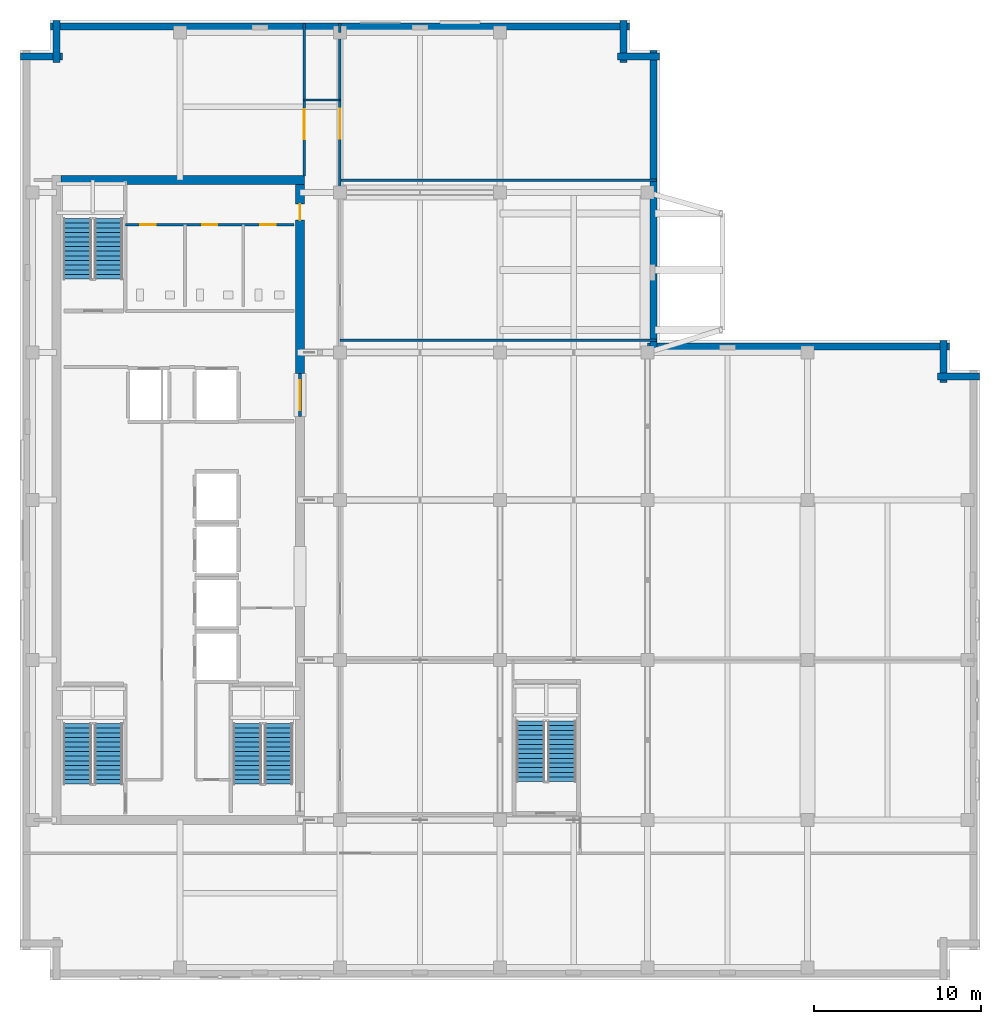
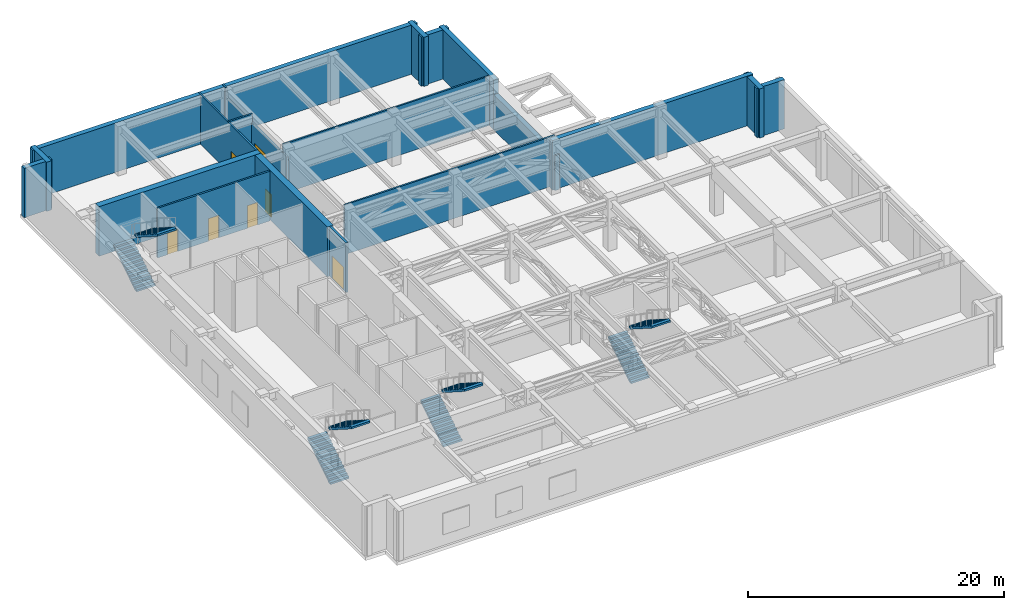
# One storey, part 14 of 19: 20 walls, 8 stair flights, 7 doors, 7 openings, 4 elements without a shape of their own.
"""IFC4 building model written with IfcOpenShell, lengths in metres."""

from ifc_helpers import new_model, si_unit, direction, frame, frame_2d, origin, place, context, subcontext, project, spatial, polyline, rectangle, outline, extrude, material, layer, layer_set, type_object, element, fill, aggregate, save


model = new_model("IFC4")

# Units and contexts
model_context = context("Model", 3, precision=1e-05, world=origin(), true_north=direction((0.0, 1.0)))
body_context = subcontext(model_context, "Body", "Model", "MODEL_VIEW")
ifc_project = project(units=[si_unit("LENGTHUNIT", "METRE"), si_unit("AREAUNIT", "SQUARE_METRE"), si_unit("VOLUMEUNIT", "CUBIC_METRE"), si_unit("PLANEANGLEUNIT", "RADIAN"), si_unit("MASSUNIT", "GRAM", prefix="KILO")], contexts=[model_context])

# Site, building, storey
site_placement = place(None, origin())
site = spatial("IfcSite", under=ifc_project, at=site_placement, CompositionType="ELEMENT")
building_placement = place(site_placement, origin())
building = spatial("IfcBuilding", under=site, at=building_placement, Name="Norrvale University Quadrangle", CompositionType="ELEMENT")
storey_placement = place(building_placement, frame((0.0, 0.0, 256.0)))
storey = spatial("IfcBuildingStorey", under=building, at=storey_placement, Name="L65", CompositionType="ELEMENT", Elevation=256.0)

# Walls
ifc_material_1 = material(Name="Buff Norman Clay Brick Masonry", Category="masonry")
ifc_layer_1 = layer(ifc_material_1, 0.419921875, Name="Buff Norman Clay Brick Masonry")
ifc_layer_set_1 = layer_set([ifc_layer_1], Name="Buff Norman Clay Brick Masonry")
wall_type_1 = type_object("IfcWallType", Name="Wall Buff Brick 420", PredefinedType="SOLIDWALL", material=ifc_layer_set_1)
for number, where, z_axis, x_axis, name in (
    (1, (57.56005859375, 36.2099609375, 0.0), (0.0, 0.0, 1.0), (-1.0, 0.0, 0.0), "Exterior Brick Facade Wall L65-05.1"),
    (2, (55.409912109375, 35.860107421875, 0.0), (0.0, 0.0, 1.0), (0.0, 1.0, 0.0), "Exterior Brick Facade Wall L65-06.1"),
):
    element("IfcWall", number, at=place(storey_placement, frame(where, z_axis=z_axis, x_axis=x_axis)), inside=storey, type_object=wall_type_1, Name=name, PredefinedType="SOLIDWALL", context=body_context, shape_type="SweptSolid", body=[
        extrude(rectangle(XDim=2.5, YDim=0.419921875, at=frame_2d((1.25, 0.0))), origin(), (0.0, 0.0, 1.0), 4.699951171875),
    ])
wall_1_placement = place(storey_placement, frame((55.760009765625, 38.010009765625, 0.0), z_axis=(0.0, 0.0, 1.0), x_axis=(-1.0, 0.0, 0.0)))
element("IfcWall", 3, at=wall_1_placement, inside=storey, type_object=wall_type_1, Name="Exterior Brick Facade Wall L65-07.1", PredefinedType="SOLIDWALL", context=body_context, shape_type="SweptSolid", body=[
    extrude(rectangle(XDim=18.10009765625, YDim=0.419921875, at=frame_2d((9.050048828125, 0.0))), origin(), (0.0, 0.0, 1.0), 4.739990234375),
])
wall_2_placement = place(storey_placement, frame((38.010009765625, 37.659912109375, 0.0), z_axis=(0.0, 0.0, 1.0), x_axis=(0.0, 1.0, 0.0)))
element("IfcWall", 4, at=wall_2_placement, inside=storey, type_object=wall_type_1, Name="Exterior Brick Facade Wall L65-08.1", PredefinedType="SOLIDWALL", context=body_context, shape_type="SweptSolid", body=[
    extrude(rectangle(XDim=9.590087890625, YDim=0.419921875, at=frame_2d((4.794921875, 0.0))), origin(), (0.0, 0.0, 1.0), 3.340087890625),
])
for number, where, z_axis, x_axis, name in (
    (5, (38.360107421875, 55.409912109375, 0.0), (0.0, 0.0, 1.0), (-1.0, 0.0, 0.0), "Exterior Brick Facade Wall L65-09.1"),
    (6, (36.2099609375, 55.06005859375, 0.0), (0.0, 0.0, 1.0), (0.0, 1.0, 0.0), "Exterior Brick Facade Wall L65-10.1"),
):
    element("IfcWall", number, at=place(storey_placement, frame(where, z_axis=z_axis, x_axis=x_axis)), inside=storey, type_object=wall_type_1, Name=name, PredefinedType="SOLIDWALL", context=body_context, shape_type="SweptSolid", body=[
        extrude(rectangle(XDim=2.5, YDim=0.419921875, at=frame_2d((1.25, 0.0))), origin(), (0.0, 0.0, 1.0), 4.699951171875),
    ])
wall_3_placement = place(storey_placement, frame((36.56005859375, 57.2099609375, 0.0), z_axis=(0.0, 0.0, 1.0), x_axis=(-1.0, 0.0, 0.0)))
element("IfcWall", 7, at=wall_3_placement, inside=storey, type_object=wall_type_1, Name="Exterior Brick Facade Wall L65-11.1", PredefinedType="SOLIDWALL", context=body_context, shape_type="SweptSolid", body=[
    extrude(rectangle(XDim=34.719970703125, YDim=0.419921875, at=frame_2d((17.35986328125, 0.0))), origin(), (0.0, 0.0, 1.0), 4.699951171875),
])
for number, where, z_axis, x_axis, name in (
    (8, (2.18994140625, 57.56005859375, 0.0), (0.0, 0.0, 1.0), (0.0, -1.0, 0.0), "Exterior Brick Facade Wall L65-12.1"),
    (9, (2.5400390625, 55.409912109375, 0.0), (0.0, 0.0, 1.0), (-1.0, 0.0, 0.0), "Exterior Brick Facade Wall L65-13.1"),
):
    element("IfcWall", number, at=place(storey_placement, frame(where, z_axis=z_axis, x_axis=x_axis)), inside=storey, type_object=wall_type_1, Name=name, PredefinedType="SOLIDWALL", context=body_context, shape_type="SweptSolid", body=[
        extrude(rectangle(XDim=2.5, YDim=0.419921875, at=frame_2d((1.25, 0.0))), origin(), (0.0, 0.0, 1.0), 4.699951171875),
    ])
wall_4_placement = place(storey_placement, frame((38.010009765625, 47.25, 0.0), z_axis=(0.0, 0.0, 1.0), x_axis=(0.0, 1.0, 0.0)))
element("IfcWall", 10, at=wall_4_placement, inside=storey, type_object=wall_type_1, Name="Exterior Brick Facade Wall L65-08.1 B2", PredefinedType="SOLIDWALL", context=body_context, shape_type="SweptSolid", body=[
    extrude(rectangle(XDim=8.510009765625, YDim=0.419921875, at=frame_2d((4.2548828125, 0.0))), origin(), (0.0, 0.0, 1.0), 4.739990234375),
])
ifc_material_2 = material(Name="Concrete C60/75", Category="concrete")
ifc_layer_2 = layer(ifc_material_2, 0.550048828125, Name="Concrete C60/75")
ifc_layer_set_2 = layer_set([ifc_layer_2], Name="Concrete C60/75")
wall_type_2 = type_object("IfcWallType", Name="Wall Core 550", PredefinedType="SHEAR", material=ifc_layer_set_2)
wall_5_placement = place(storey_placement, frame((2.47509765625, 48.0, 0.0), z_axis=(0.0, 0.0, 1.0), x_axis=(1.0, 0.0, 0.0)))
element("IfcWall", 11, at=wall_5_placement, inside=storey, type_object=wall_type_2, Name="Tower Core Shear Wall L65-N", PredefinedType="SHEAR", context=body_context, shape_type="SweptSolid", body=[
    extrude(rectangle(XDim=14.599853515625, YDim=0.550048828125, at=frame_2d((7.2998046875, 0.0))), origin(), (0.0, 0.0, 1.0), 4.739990234375),
])

# Wall, opening, door
wall_6_placement = place(storey_placement, frame((16.800048828125, 36.39990234375, 0.0), z_axis=(0.0, 0.0, 1.0), x_axis=(0.0, 1.0, 0.0)))
wall_6 = element("IfcWall", 12, at=wall_6_placement, inside=storey, type_object=wall_type_2, Name="Tower Core Shear Wall L65-E3", PredefinedType="SHEAR", context=body_context, shape_type="SweptSolid", body=[
    extrude(rectangle(XDim=11.3251953125, YDim=0.550048828125, at=frame_2d((5.66259765625, 0.0))), origin(), (0.0, 0.0, 1.0), 4.739990234375),
])
opening_1_placement = place(wall_6_placement, frame((9.199951171875, 0.0, 0.0)))
opening_1 = element("IfcOpeningElement", 13, at=opening_1_placement, cuts=wall_6, Name="Opening D07", PredefinedType="OPENING", context=body_context, shape_type="SweptSolid", body=[
    extrude(rectangle(XDim=0.949951171875, YDim=2.14990234375, at=frame_2d((0.47509765625, 1.074951171875))), frame((0.0, 0.287109375, 0.0), z_axis=(0.0, -1.0, 0.0), x_axis=(1.0, 0.0, 0.0)), (0.0, 0.0, 1.0), 0.573974609375),
])
ifc_material_3 = material(Name="Solid-Core Maple Door", Category="wood")
door_type_1 = type_object("IfcDoorType", Name="Door Office 950x2150", OperationType="NOTDEFINED", PredefinedType="DOOR", material=ifc_material_3)
door_1_placement = place(opening_1_placement, origin())
door_1 = element("IfcDoor", 14, at=door_1_placement, inside=storey, type_object=door_type_1, Name="Door Office 950x2150 DR-L65-NECORR", OperationType="SINGLE_SWING_RIGHT", OverallHeight=2.14990234375, OverallWidth=0.949951171875, PredefinedType="DOOR", context=body_context, shape_type="SweptSolid", body=[
    extrude(rectangle(XDim=0.949951171875, YDim=2.14990234375, at=frame_2d((0.47509765625, 1.074951171875))), frame((0.0, 0.02490234375, 0.0), z_axis=(0.0, -1.0, 0.0), x_axis=(1.0, 0.0, 0.0)), (0.0, 0.0, 1.0), 0.050048828125),
])
fill(opening_1, door_1)

# Walls
ifc_material_4 = material(Name="Fire-Rated Gypsum Stud Partition")
ifc_layer_3 = layer(ifc_material_4, 0.14990234375, Name="Fire-Rated Gypsum Stud Partition")
ifc_layer_set_3 = layer_set([ifc_layer_3], Name="Fire-Rated Gypsum Stud Partition")
wall_type_3 = type_object("IfcWallType", Name="Wall Gypsum Corridor 150", PredefinedType="PARTITIONING", material=ifc_layer_set_3)
wall_7_placement = place(storey_placement, frame((17.050048828125, 52.800048828125, 0.0), z_axis=(0.0, 0.0, 1.0), x_axis=(1.0, 0.0, 0.0)))
element("IfcWall", 15, at=wall_7_placement, inside=storey, type_object=wall_type_3, Name="Interior Partition WL-L65-PCN", PredefinedType="PARTITIONING", context=body_context, shape_type="SweptSolid", body=[
    extrude(rectangle(XDim=2.14990234375, YDim=0.14990234375, at=frame_2d((1.074951171875, 0.0))), origin(), (0.0, 0.0, 1.0), 4.699951171875),
])
wall_8_placement = place(storey_placement, frame((19.199951171875, 38.39990234375, 0.0), z_axis=(0.0, 0.0, 1.0), x_axis=(1.0, 0.0, 0.0)))
element("IfcWall", 16, at=wall_8_placement, inside=storey, type_object=wall_type_3, Name="Interior Partition WL-L65-RF-S", PredefinedType="PARTITIONING", context=body_context, shape_type="SweptSolid", body=[
    extrude(rectangle(XDim=18.97998046875, YDim=0.14990234375, at=frame_2d((9.489990234375, 0.0))), origin(), (0.0, 0.0, 1.0), 4.739990234375),
])
wall_9_placement = place(storey_placement, frame((19.199951171875, 48.0, 0.0), z_axis=(0.0, 0.0, 1.0), x_axis=(1.0, 0.0, 0.0)))
element("IfcWall", 17, at=wall_9_placement, inside=storey, type_object=wall_type_3, Name="Interior Partition WL-L65-RF-N", PredefinedType="PARTITIONING", context=body_context, shape_type="SweptSolid", body=[
    extrude(rectangle(XDim=18.97998046875, YDim=0.14990234375, at=frame_2d((9.489990234375, 0.0))), origin(), (0.0, 0.0, 1.0), 4.699951171875),
])

# Wall, opening, door
wall_10_placement = place(storey_placement, frame((19.199951171875, 47.25, 0.0), z_axis=(0.0, 0.0, 1.0), x_axis=(0.0, 1.0, 0.0)))
wall_10 = element("IfcWall", 18, at=wall_10_placement, inside=storey, type_object=wall_type_3, Name="Interior Partition WL-L65-PE-W-B2", PredefinedType="PARTITIONING", context=body_context, shape_type="SweptSolid", body=[
    extrude(rectangle(XDim=9.60009765625, YDim=0.14990234375, at=frame_2d((4.800048828125, 0.0))), origin(), (0.0, 0.0, 1.0), 3.927001953125),
])
opening_2_placement = place(wall_10_placement, frame((3.22998046875, 0.0, 0.0)))
opening_2 = element("IfcOpeningElement", 19, at=opening_2_placement, cuts=wall_10, Name="Opening D03", PredefinedType="OPENING", context=body_context, shape_type="SweptSolid", body=[
    extrude(rectangle(XDim=1.800048828125, YDim=2.199951171875, at=frame_2d((0.89990234375, 1.10009765625))), frame((0.0, 0.0869140625, 0.0), z_axis=(0.0, -1.0, 0.0), x_axis=(1.0, 0.0, 0.0)), (0.0, 0.0, 1.0), 0.173828125),
])
ifc_material_5 = material(Name="Hollow Steel 350W Fire Door", Category="steel")
door_type_2 = type_object("IfcDoorType", Name="Door Fire Lobby 1800x2200", OperationType="DOUBLE_DOOR_SINGLE_SWING", PredefinedType="DOOR", material=ifc_material_5)
door_2_placement = place(opening_2_placement, origin())
door_2 = element("IfcDoor", 20, at=door_2_placement, inside=storey, type_object=door_type_2, Name="Door Fire Lobby 1800x2200 DR-L65-FAN1", OperationType="DOUBLE_DOOR_SINGLE_SWING", OverallHeight=2.199951171875, OverallWidth=1.800048828125, PredefinedType="DOOR", context=body_context, shape_type="SweptSolid", body=[
    extrude(rectangle(XDim=1.800048828125, YDim=2.199951171875, at=frame_2d((0.89990234375, 1.10009765625))), frame((0.0, 0.02490234375, 0.0), z_axis=(0.0, -1.0, 0.0), x_axis=(1.0, 0.0, 0.0)), (0.0, 0.0, 1.0), 0.050048828125),
])
fill(opening_2, door_2)

# Wall
wall_11_placement = place(storey_placement, frame((19.199951171875, 56.85009765625, 0.0), z_axis=(0.0, 0.0, 1.0), x_axis=(0.0, 1.0, 0.0)))
element("IfcWall", 21, at=wall_11_placement, inside=storey, type_object=wall_type_3, Name="Interior Partition WL-L65-PE-W-B3", PredefinedType="PARTITIONING", context=body_context, shape_type="SweptSolid", body=[
    extrude(rectangle(XDim=0.52978515625, YDim=0.14990234375, at=frame_2d((0.264892578125, 0.0))), origin(), (0.0, 0.0, 1.0), 4.739990234375),
])

# Wall, opening, door
wall_12_placement = place(storey_placement, frame((17.050048828125, 48.25, 0.0), z_axis=(0.0, 0.0, 1.0), x_axis=(0.0, 1.0, 0.0)))
wall_12 = element("IfcWall", 22, at=wall_12_placement, inside=storey, type_object=wall_type_3, Name="Interior Partition WL-L65-TNK-E", PredefinedType="PARTITIONING", context=body_context, shape_type="SweptSolid", body=[
    extrude(rectangle(XDim=9.1298828125, YDim=0.14990234375, at=frame_2d((4.56494140625, 0.0))), origin(), (0.0, 0.0, 1.0), 4.699951171875),
])
opening_3_placement = place(wall_12_placement, frame((2.199951171875, 0.0, 0.0)))
opening_3 = element("IfcOpeningElement", 23, at=opening_3_placement, cuts=wall_12, Name="Opening D03", PredefinedType="OPENING", context=body_context, shape_type="SweptSolid", body=[
    extrude(rectangle(XDim=1.800048828125, YDim=2.199951171875, at=frame_2d((0.89990234375, 1.10009765625))), frame((0.0, 0.0869140625, 0.0), z_axis=(0.0, -1.0, 0.0), x_axis=(1.0, 0.0, 0.0)), (0.0, 0.0, 1.0), 0.173828125),
])
door_3_placement = place(opening_3_placement, origin())
door_3 = element("IfcDoor", 24, at=door_3_placement, inside=storey, type_object=door_type_2, Name="Door Fire Lobby 1800x2200 DR-L65-TNK1", OperationType="DOUBLE_DOOR_SINGLE_SWING", OverallHeight=2.199951171875, OverallWidth=1.800048828125, PredefinedType="DOOR", context=body_context, shape_type="SweptSolid", body=[
    extrude(rectangle(XDim=1.800048828125, YDim=2.199951171875, at=frame_2d((0.89990234375, 1.10009765625))), frame((0.0, 0.02490234375, 0.0), z_axis=(0.0, -1.0, 0.0), x_axis=(1.0, 0.0, 0.0)), (0.0, 0.0, 1.0), 0.050048828125),
])
fill(opening_3, door_3)

# Wall, openings, doors
ifc_material_6 = material(Name="Sanitary Chase Gypsum Partition")
ifc_layer_4 = layer(ifc_material_6, 0.1650390625, Name="Sanitary Chase Gypsum Partition")
ifc_layer_set_4 = layer_set([ifc_layer_4], Name="Sanitary Chase Gypsum Partition")
wall_type_4 = type_object("IfcWallType", Name="Wall Gypsum Sanitary 165", PredefinedType="PLUMBINGWALL", material=ifc_layer_set_4)
wall_13_placement = place(storey_placement, frame((6.320068359375, 45.320068359375, 0.0), z_axis=(0.0, 0.0, 1.0), x_axis=(1.0, 0.0, 0.0)))
wall_13 = element("IfcWall", 25, at=wall_13_placement, inside=storey, type_object=wall_type_4, Name="Interior Partition WL-L65-WCN", PredefinedType="PLUMBINGWALL", context=body_context, shape_type="SweptSolid", body=[
    extrude(rectangle(XDim=10.1298828125, YDim=0.1650390625, at=frame_2d((5.06494140625, 0.0))), origin(), (0.0, 0.0, 1.0), 4.739990234375),
])
opening_4_placement = place(wall_13_placement, frame((0.89990234375, 0.0, 0.0)))
opening_4 = element("IfcOpeningElement", 26, at=opening_4_placement, cuts=wall_13, Name="Opening D08", PredefinedType="OPENING", context=body_context, shape_type="SweptSolid", body=[
    extrude(rectangle(XDim=0.919921875, YDim=2.14990234375, at=frame_2d((0.4599609375, 1.074951171875))), frame((0.0, 0.094482421875, 0.0), z_axis=(0.0, -1.0, 0.0), x_axis=(1.0, 0.0, 0.0)), (0.0, 0.0, 1.0), 0.18896484375),
])
opening_5_placement = place(wall_13_placement, frame((4.60009765625, 0.0, 0.0)))
opening_5 = element("IfcOpeningElement", 27, at=opening_5_placement, cuts=wall_13, Name="Opening D08", PredefinedType="OPENING", context=body_context, shape_type="SweptSolid", body=[
    extrude(rectangle(XDim=0.919921875, YDim=2.14990234375, at=frame_2d((0.4599609375, 1.074951171875))), frame((0.0, 0.094482421875, 0.0), z_axis=(0.0, -1.0, 0.0), x_axis=(1.0, 0.0, 0.0)), (0.0, 0.0, 1.0), 0.18896484375),
])
opening_6_placement = place(wall_13_placement, frame((8.10009765625, 0.0, 0.0)))
opening_6 = element("IfcOpeningElement", 28, at=opening_6_placement, cuts=wall_13, Name="Opening D08", PredefinedType="OPENING", context=body_context, shape_type="SweptSolid", body=[
    extrude(rectangle(XDim=0.919921875, YDim=2.14990234375, at=frame_2d((0.4599609375, 1.074951171875))), frame((0.0, 0.094482421875, 0.0), z_axis=(0.0, -1.0, 0.0), x_axis=(1.0, 0.0, 0.0)), (0.0, 0.0, 1.0), 0.18896484375),
])
ifc_material_7 = material(Name="Laminate Washroom Door", Category="wood")
door_type_3 = type_object("IfcDoorType", Name="Door Washroom 920x2150", OperationType="NOTDEFINED", PredefinedType="DOOR", material=ifc_material_7)
door_4_placement = place(opening_4_placement, origin())
door_4 = element("IfcDoor", 29, at=door_4_placement, inside=storey, type_object=door_type_3, Name="Door Washroom 920x2150 DR-L65-WC1", OperationType="SINGLE_SWING_LEFT", OverallHeight=2.14990234375, OverallWidth=0.919921875, PredefinedType="DOOR", context=body_context, shape_type="SweptSolid", body=[
    extrude(rectangle(XDim=0.919921875, YDim=2.14990234375, at=frame_2d((0.4599609375, 1.074951171875))), frame((0.0, 0.02490234375, 0.0), z_axis=(0.0, -1.0, 0.0), x_axis=(1.0, 0.0, 0.0)), (0.0, 0.0, 1.0), 0.050048828125),
])
fill(opening_4, door_4)
door_5_placement = place(opening_5_placement, origin())
door_5 = element("IfcDoor", 30, at=door_5_placement, inside=storey, type_object=door_type_3, Name="Door Washroom 920x2150 DR-L65-WC2", OperationType="SINGLE_SWING_RIGHT", OverallHeight=2.14990234375, OverallWidth=0.919921875, PredefinedType="DOOR", context=body_context, shape_type="SweptSolid", body=[
    extrude(rectangle(XDim=0.919921875, YDim=2.14990234375, at=frame_2d((0.4599609375, 1.074951171875))), frame((0.0, 0.02490234375, 0.0), z_axis=(0.0, -1.0, 0.0), x_axis=(1.0, 0.0, 0.0)), (0.0, 0.0, 1.0), 0.050048828125),
])
fill(opening_5, door_5)
door_6_placement = place(opening_6_placement, origin())
door_6 = element("IfcDoor", 31, at=door_6_placement, inside=storey, type_object=door_type_3, Name="Door Washroom 920x2150 DR-L65-WC3", OperationType="SINGLE_SWING_LEFT", OverallHeight=2.14990234375, OverallWidth=0.919921875, PredefinedType="DOOR", context=body_context, shape_type="SweptSolid", body=[
    extrude(rectangle(XDim=0.919921875, YDim=2.14990234375, at=frame_2d((0.4599609375, 1.074951171875))), frame((0.0, 0.02490234375, 0.0), z_axis=(0.0, -1.0, 0.0), x_axis=(1.0, 0.0, 0.0)), (0.0, 0.0, 1.0), 0.050048828125),
])
fill(opening_6, door_6)

# Wall, opening, door
ifc_material_8 = material(Name="Concrete Blockwork 20 MPa Rated Wall", Category="masonry")
ifc_layer_5 = layer(ifc_material_8, 0.199951171875, Name="Concrete Blockwork 20 MPa Rated Wall")
ifc_layer_set_5 = layer_set([ifc_layer_5], Name="Concrete Blockwork 20 MPa Rated Wall")
wall_type_5 = type_object("IfcWallType", Name="Wall Lobby 200", PredefinedType="SOLIDWALL", material=ifc_layer_set_5)
wall_14_placement = place(storey_placement, frame((16.800048828125, 33.800048828125, 0.0), z_axis=(0.0, 0.0, 1.0), x_axis=(0.0, 1.0, 0.0)))
wall_14 = element("IfcWall", 32, at=wall_14_placement, inside=storey, type_object=wall_type_5, Name="Interior Partition WL-L65-FFP", PredefinedType="SOLIDWALL", context=body_context, shape_type="SweptSolid", body=[
    extrude(rectangle(XDim=2.599853515625, YDim=0.199951171875, at=frame_2d((1.2998046875, 0.0))), origin(), (0.0, 0.0, 1.0), 4.739990234375),
])
opening_7_placement = place(wall_14_placement, frame((0.39990234375, 0.0, 0.0)))
opening_7 = element("IfcOpeningElement", 33, at=opening_7_placement, cuts=wall_14, Name="Opening D03", PredefinedType="OPENING", context=body_context, shape_type="SweptSolid", body=[
    extrude(rectangle(XDim=1.800048828125, YDim=2.199951171875, at=frame_2d((0.89990234375, 1.10009765625))), frame((0.0, 0.112060546875, 0.0), z_axis=(0.0, -1.0, 0.0), x_axis=(1.0, 0.0, 0.0)), (0.0, 0.0, 1.0), 0.223876953125),
])
door_7_placement = place(opening_7_placement, origin())
door_7 = element("IfcDoor", 34, at=door_7_placement, inside=storey, type_object=door_type_2, Name="Door Fire Lobby 1800x2200 DR-L65-FFP", OperationType="DOUBLE_DOOR_SINGLE_SWING", OverallHeight=2.199951171875, OverallWidth=1.800048828125, PredefinedType="DOOR", context=body_context, shape_type="SweptSolid", body=[
    extrude(rectangle(XDim=1.800048828125, YDim=2.199951171875, at=frame_2d((0.89990234375, 1.10009765625))), frame((0.0, 0.02490234375, 0.0), z_axis=(0.0, -1.0, 0.0), x_axis=(1.0, 0.0, 0.0)), (0.0, 0.0, 1.0), 0.050048828125),
])
fill(opening_7, door_7)

# Stair, stair flights
ifc_material_9 = material(Name="Concrete C40/50", Category="concrete")
stair_type = type_object("IfcStairType", Name="Stair Tower Plant 5000", PredefinedType="TWO_STRAIGHT_RUN_STAIR", material=ifc_material_9)
stair_1_placement = place(storey_placement, origin())
stair_1 = element("IfcStair", 35, at=stair_1_placement, inside=storey, type_object=stair_type, Name="Exit Stair ST-01 L65", PredefinedType="TWO_STRAIGHT_RUN_STAIR")
stair_flight_type = type_object("IfcStairFlightType", Name="Flight Typ 1500", PredefinedType="STRAIGHT", material=ifc_material_9)
stair_flight_1_placement = place(storey_placement, frame((3.429931640625, 11.75, 0.0), z_axis=(0.0, 0.0, 1.0), x_axis=(0.0, 1.0, 0.0)))
stair_flight_1 = element("IfcStairFlight", 36, at=stair_flight_1_placement, type_object=stair_flight_type, Name="Exit Stair ST-01 L65 Lower Flight", NumberOfRisers=14, NumberOfTreads=13, PredefinedType="STRAIGHT", RiserHeight=0.178571, TreadLength=0.28, context=body_context, shape_type="SweptSolid", body=[
    extrude(outline(polyline([(0.0, 0.0), (0.0, 0.178466796875), (0.280029296875, 0.178466796875), (0.280029296875, 0.357177734375), (0.56005859375, 0.357177734375), (0.56005859375, 0.53564453125), (0.840087890625, 0.53564453125), (0.840087890625, 0.71435546875), (1.1201171875, 0.71435546875), (1.1201171875, 0.892822265625), (1.39990234375, 0.892822265625), (1.39990234375, 1.071533203125), (1.679931640625, 1.071533203125), (1.679931640625, 1.25), (1.9599609375, 1.25), (1.9599609375, 1.428466796875), (2.239990234375, 1.428466796875), (2.239990234375, 1.607177734375), (2.52001953125, 1.607177734375), (2.52001953125, 1.78564453125), (2.800048828125, 1.78564453125), (2.800048828125, 1.96435546875), (3.080078125, 1.96435546875), (3.080078125, 2.142822265625), (3.360107421875, 2.142822265625), (3.360107421875, 2.321533203125), (3.639892578125, 2.321533203125), (3.639892578125, 2.5), (3.639892578125, 2.1435546875), (0.27880859375, 0.0), (0.0, 0.0)])), frame((0.0, 0.83984375, 0.0), z_axis=(0.0, -1.0, 0.0), x_axis=(1.0, 0.0, 0.0)), (0.0, 0.0, 1.0), 1.679931640625),
])
stair_flight_2_placement = place(storey_placement, frame((5.320068359375, 15.389892578125, 2.5), z_axis=(0.0, 0.0, 1.0), x_axis=(0.0, -1.0, 0.0)))
stair_flight_2 = element("IfcStairFlight", 37, at=stair_flight_2_placement, type_object=stair_flight_type, Name="Exit Stair ST-01 L65 Upper Flight", NumberOfRisers=14, NumberOfTreads=13, PredefinedType="STRAIGHT", RiserHeight=0.178571, TreadLength=0.28, context=body_context, shape_type="SweptSolid", body=[
    extrude(outline(polyline([(0.0, 0.0), (0.0, 0.178466796875), (0.280029296875, 0.178466796875), (0.280029296875, 0.357177734375), (0.56005859375, 0.357177734375), (0.56005859375, 0.53564453125), (0.840087890625, 0.53564453125), (0.840087890625, 0.71435546875), (1.1201171875, 0.71435546875), (1.1201171875, 0.892822265625), (1.39990234375, 0.892822265625), (1.39990234375, 1.071533203125), (1.679931640625, 1.071533203125), (1.679931640625, 1.25), (1.9599609375, 1.25), (1.9599609375, 1.428466796875), (2.239990234375, 1.428466796875), (2.239990234375, 1.607177734375), (2.52001953125, 1.607177734375), (2.52001953125, 1.78564453125), (2.800048828125, 1.78564453125), (2.800048828125, 1.96435546875), (3.080078125, 1.96435546875), (3.080078125, 2.142822265625), (3.360107421875, 2.142822265625), (3.360107421875, 2.321533203125), (3.639892578125, 2.321533203125), (3.639892578125, 2.5), (3.639892578125, 2.1435546875), (0.27880859375, 0.0), (0.0, 0.0)])), frame((0.0, 0.83984375, 0.0), z_axis=(0.0, -1.0, 0.0), x_axis=(1.0, 0.0, 0.0)), (0.0, 0.0, 1.0), 1.679931640625),
])
aggregate(stair_1, [stair_flight_1, stair_flight_2])

stair_2_placement = place(storey_placement, origin())
stair_2 = element("IfcStair", 38, at=stair_2_placement, inside=storey, type_object=stair_type, Name="Exit Stair ST-02 L65", PredefinedType="TWO_STRAIGHT_RUN_STAIR")
stair_flight_3_placement = place(storey_placement, frame((3.429931640625, 42.050048828125, 0.0), z_axis=(0.0, 0.0, 1.0), x_axis=(0.0, 1.0, 0.0)))
stair_flight_3 = element("IfcStairFlight", 39, at=stair_flight_3_placement, type_object=stair_flight_type, Name="Exit Stair ST-02 L65 Lower Flight", NumberOfRisers=14, NumberOfTreads=13, PredefinedType="STRAIGHT", RiserHeight=0.178571, TreadLength=0.28, context=body_context, shape_type="SweptSolid", body=[
    extrude(outline(polyline([(0.0, 0.0), (0.0, 0.178466796875), (0.280029296875, 0.178466796875), (0.280029296875, 0.357177734375), (0.56005859375, 0.357177734375), (0.56005859375, 0.53564453125), (0.840087890625, 0.53564453125), (0.840087890625, 0.71435546875), (1.1201171875, 0.71435546875), (1.1201171875, 0.892822265625), (1.39990234375, 0.892822265625), (1.39990234375, 1.071533203125), (1.679931640625, 1.071533203125), (1.679931640625, 1.25), (1.9599609375, 1.25), (1.9599609375, 1.428466796875), (2.239990234375, 1.428466796875), (2.239990234375, 1.607177734375), (2.52001953125, 1.607177734375), (2.52001953125, 1.78564453125), (2.800048828125, 1.78564453125), (2.800048828125, 1.96435546875), (3.080078125, 1.96435546875), (3.080078125, 2.142822265625), (3.360107421875, 2.142822265625), (3.360107421875, 2.321533203125), (3.639892578125, 2.321533203125), (3.639892578125, 2.5), (3.639892578125, 2.1435546875), (0.27880859375, 0.0), (0.0, 0.0)])), frame((0.0, 0.83984375, 0.0), z_axis=(0.0, -1.0, 0.0), x_axis=(1.0, 0.0, 0.0)), (0.0, 0.0, 1.0), 1.679931640625),
])
stair_flight_4_placement = place(storey_placement, frame((5.320068359375, 45.68994140625, 2.5), z_axis=(0.0, 0.0, 1.0), x_axis=(0.0, -1.0, 0.0)))
stair_flight_4 = element("IfcStairFlight", 40, at=stair_flight_4_placement, type_object=stair_flight_type, Name="Exit Stair ST-02 L65 Upper Flight", NumberOfRisers=14, NumberOfTreads=13, PredefinedType="STRAIGHT", RiserHeight=0.178571, TreadLength=0.28, context=body_context, shape_type="SweptSolid", body=[
    extrude(outline(polyline([(0.0, 0.0), (0.0, 0.178466796875), (0.280029296875, 0.178466796875), (0.280029296875, 0.357177734375), (0.56005859375, 0.357177734375), (0.56005859375, 0.53564453125), (0.840087890625, 0.53564453125), (0.840087890625, 0.71435546875), (1.1201171875, 0.71435546875), (1.1201171875, 0.892822265625), (1.39990234375, 0.892822265625), (1.39990234375, 1.071533203125), (1.679931640625, 1.071533203125), (1.679931640625, 1.25), (1.9599609375, 1.25), (1.9599609375, 1.428466796875), (2.239990234375, 1.428466796875), (2.239990234375, 1.607177734375), (2.52001953125, 1.607177734375), (2.52001953125, 1.78564453125), (2.800048828125, 1.78564453125), (2.800048828125, 1.96435546875), (3.080078125, 1.96435546875), (3.080078125, 2.142822265625), (3.360107421875, 2.142822265625), (3.360107421875, 2.321533203125), (3.639892578125, 2.321533203125), (3.639892578125, 2.5), (3.639892578125, 2.1435546875), (0.27880859375, 0.0), (0.0, 0.0)])), frame((0.0, 0.83984375, 0.0), z_axis=(0.0, -1.0, 0.0), x_axis=(1.0, 0.0, 0.0)), (0.0, 0.0, 1.0), 1.679931640625),
])
aggregate(stair_2, [stair_flight_3, stair_flight_4])

stair_3_placement = place(storey_placement, origin())
stair_3 = element("IfcStair", 41, at=stair_3_placement, inside=storey, type_object=stair_type, Name="Exit Stair ST-03 L65", PredefinedType="TWO_STRAIGHT_RUN_STAIR")
stair_flight_5_placement = place(storey_placement, frame((13.6298828125, 11.75, 0.0), z_axis=(0.0, 0.0, 1.0), x_axis=(0.0, 1.0, 0.0)))
stair_flight_5 = element("IfcStairFlight", 42, at=stair_flight_5_placement, type_object=stair_flight_type, Name="Exit Stair ST-03 L65 Lower Flight", NumberOfRisers=14, NumberOfTreads=13, PredefinedType="STRAIGHT", RiserHeight=0.178571, TreadLength=0.28, context=body_context, shape_type="SweptSolid", body=[
    extrude(outline(polyline([(0.0, 0.0), (0.0, 0.178466796875), (0.280029296875, 0.178466796875), (0.280029296875, 0.357177734375), (0.56005859375, 0.357177734375), (0.56005859375, 0.53564453125), (0.840087890625, 0.53564453125), (0.840087890625, 0.71435546875), (1.1201171875, 0.71435546875), (1.1201171875, 0.892822265625), (1.39990234375, 0.892822265625), (1.39990234375, 1.071533203125), (1.679931640625, 1.071533203125), (1.679931640625, 1.25), (1.9599609375, 1.25), (1.9599609375, 1.428466796875), (2.239990234375, 1.428466796875), (2.239990234375, 1.607177734375), (2.52001953125, 1.607177734375), (2.52001953125, 1.78564453125), (2.800048828125, 1.78564453125), (2.800048828125, 1.96435546875), (3.080078125, 1.96435546875), (3.080078125, 2.142822265625), (3.360107421875, 2.142822265625), (3.360107421875, 2.321533203125), (3.639892578125, 2.321533203125), (3.639892578125, 2.5), (3.639892578125, 2.1435546875), (0.27880859375, 0.0), (0.0, 0.0)])), frame((0.0, 0.83984375, 0.0), z_axis=(0.0, -1.0, 0.0), x_axis=(1.0, 0.0, 0.0)), (0.0, 0.0, 1.0), 1.679931640625),
])
stair_flight_6_placement = place(storey_placement, frame((15.52001953125, 15.389892578125, 2.5), z_axis=(0.0, 0.0, 1.0), x_axis=(0.0, -1.0, 0.0)))
stair_flight_6 = element("IfcStairFlight", 43, at=stair_flight_6_placement, type_object=stair_flight_type, Name="Exit Stair ST-03 L65 Upper Flight", NumberOfRisers=14, NumberOfTreads=13, PredefinedType="STRAIGHT", RiserHeight=0.178571, TreadLength=0.28, context=body_context, shape_type="SweptSolid", body=[
    extrude(outline(polyline([(0.0, 0.0), (0.0, 0.178466796875), (0.280029296875, 0.178466796875), (0.280029296875, 0.357177734375), (0.56005859375, 0.357177734375), (0.56005859375, 0.53564453125), (0.840087890625, 0.53564453125), (0.840087890625, 0.71435546875), (1.1201171875, 0.71435546875), (1.1201171875, 0.892822265625), (1.39990234375, 0.892822265625), (1.39990234375, 1.071533203125), (1.679931640625, 1.071533203125), (1.679931640625, 1.25), (1.9599609375, 1.25), (1.9599609375, 1.428466796875), (2.239990234375, 1.428466796875), (2.239990234375, 1.607177734375), (2.52001953125, 1.607177734375), (2.52001953125, 1.78564453125), (2.800048828125, 1.78564453125), (2.800048828125, 1.96435546875), (3.080078125, 1.96435546875), (3.080078125, 2.142822265625), (3.360107421875, 2.142822265625), (3.360107421875, 2.321533203125), (3.639892578125, 2.321533203125), (3.639892578125, 2.5), (3.639892578125, 2.1435546875), (0.27880859375, 0.0), (0.0, 0.0)])), frame((0.0, 0.83984375, 0.0), z_axis=(0.0, -1.0, 0.0), x_axis=(1.0, 0.0, 0.0)), (0.0, 0.0, 1.0), 1.679931640625),
])
aggregate(stair_3, [stair_flight_5, stair_flight_6])

stair_4_placement = place(storey_placement, origin())
stair_4 = element("IfcStair", 44, at=stair_4_placement, inside=storey, type_object=stair_type, Name="Exit Stair ST-04 L65", PredefinedType="TWO_STRAIGHT_RUN_STAIR")
stair_flight_7_placement = place(storey_placement, frame((30.6298828125, 11.89990234375, 0.0), z_axis=(0.0, 0.0, 1.0), x_axis=(0.0, 1.0, 0.0)))
stair_flight_7 = element("IfcStairFlight", 45, at=stair_flight_7_placement, type_object=stair_flight_type, Name="Exit Stair ST-04 L65 Lower Flight", NumberOfRisers=14, NumberOfTreads=13, PredefinedType="STRAIGHT", RiserHeight=0.178571, TreadLength=0.28, context=body_context, shape_type="SweptSolid", body=[
    extrude(outline(polyline([(0.0, 0.0), (0.0, 0.178466796875), (0.280029296875, 0.178466796875), (0.280029296875, 0.357177734375), (0.56005859375, 0.357177734375), (0.56005859375, 0.53564453125), (0.840087890625, 0.53564453125), (0.840087890625, 0.71435546875), (1.1201171875, 0.71435546875), (1.1201171875, 0.892822265625), (1.39990234375, 0.892822265625), (1.39990234375, 1.071533203125), (1.679931640625, 1.071533203125), (1.679931640625, 1.25), (1.9599609375, 1.25), (1.9599609375, 1.428466796875), (2.239990234375, 1.428466796875), (2.239990234375, 1.607177734375), (2.52001953125, 1.607177734375), (2.52001953125, 1.78564453125), (2.800048828125, 1.78564453125), (2.800048828125, 1.96435546875), (3.080078125, 1.96435546875), (3.080078125, 2.142822265625), (3.360107421875, 2.142822265625), (3.360107421875, 2.321533203125), (3.639892578125, 2.321533203125), (3.639892578125, 2.5), (3.639892578125, 2.1435546875), (0.27880859375, 0.0), (0.0, 0.0)])), frame((0.0, 0.83984375, 0.0), z_axis=(0.0, -1.0, 0.0), x_axis=(1.0, 0.0, 0.0)), (0.0, 0.0, 1.0), 1.679931640625),
])
stair_flight_8_placement = place(storey_placement, frame((32.52001953125, 15.5400390625, 2.5), z_axis=(0.0, 0.0, 1.0), x_axis=(0.0, -1.0, 0.0)))
stair_flight_8 = element("IfcStairFlight", 46, at=stair_flight_8_placement, type_object=stair_flight_type, Name="Exit Stair ST-04 L65 Upper Flight", NumberOfRisers=14, NumberOfTreads=13, PredefinedType="STRAIGHT", RiserHeight=0.178571, TreadLength=0.28, context=body_context, shape_type="SweptSolid", body=[
    extrude(outline(polyline([(0.0, 0.0), (0.0, 0.178466796875), (0.280029296875, 0.178466796875), (0.280029296875, 0.357177734375), (0.56005859375, 0.357177734375), (0.56005859375, 0.53564453125), (0.840087890625, 0.53564453125), (0.840087890625, 0.71435546875), (1.1201171875, 0.71435546875), (1.1201171875, 0.892822265625), (1.39990234375, 0.892822265625), (1.39990234375, 1.071533203125), (1.679931640625, 1.071533203125), (1.679931640625, 1.25), (1.9599609375, 1.25), (1.9599609375, 1.428466796875), (2.239990234375, 1.428466796875), (2.239990234375, 1.607177734375), (2.52001953125, 1.607177734375), (2.52001953125, 1.78564453125), (2.800048828125, 1.78564453125), (2.800048828125, 1.96435546875), (3.080078125, 1.96435546875), (3.080078125, 2.142822265625), (3.360107421875, 2.142822265625), (3.360107421875, 2.321533203125), (3.639892578125, 2.321533203125), (3.639892578125, 2.5), (3.639892578125, 2.1435546875), (0.27880859375, 0.0), (0.0, 0.0)])), frame((0.0, 0.83984375, 0.0), z_axis=(0.0, -1.0, 0.0), x_axis=(1.0, 0.0, 0.0)), (0.0, 0.0, 1.0), 1.679931640625),
])
aggregate(stair_4, [stair_flight_7, stair_flight_8])

save(model, "model.ifc")
